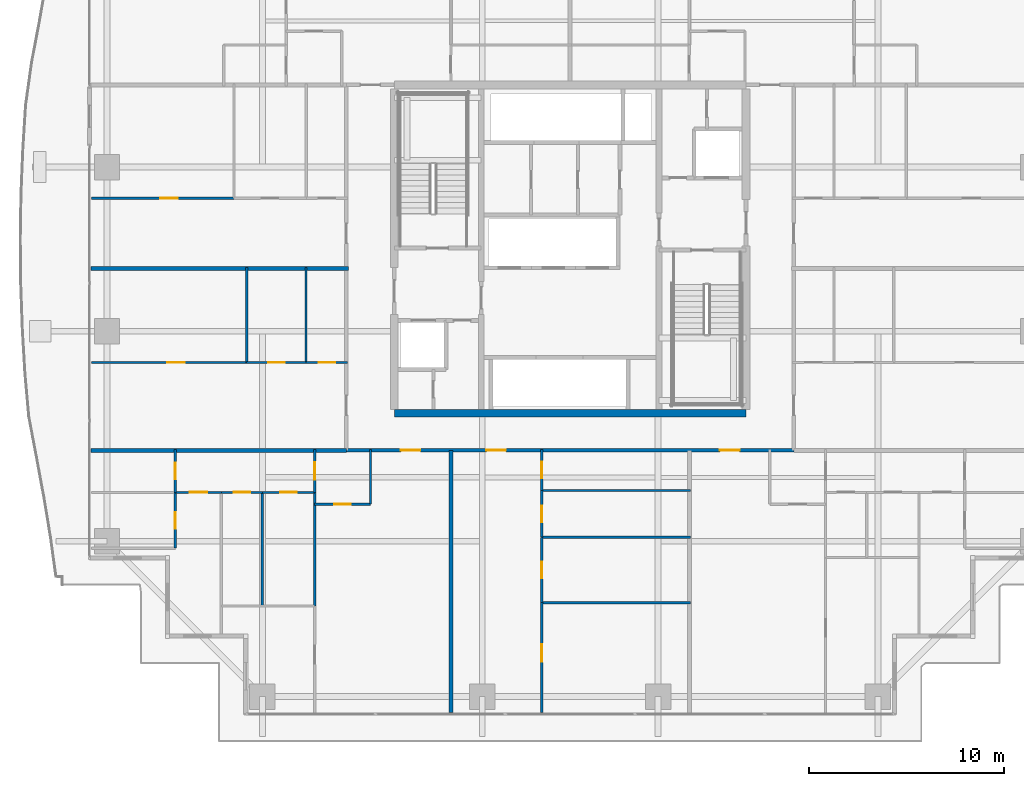
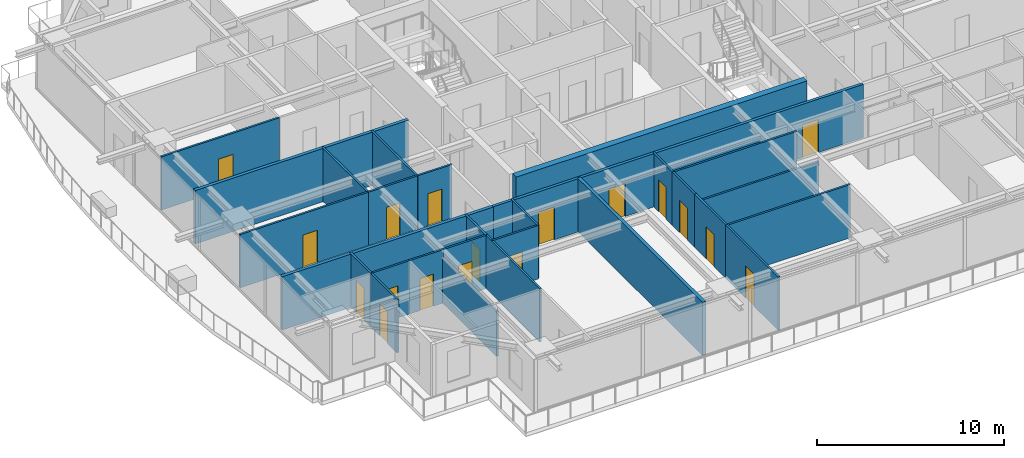
# One storey, part 27 of 38: 28 walls, 18 doors, 18 openings.
"""IFC4 building model written with IfcOpenShell, lengths in metres."""

from ifc_helpers import new_model, si_unit, direction, frame, frame_2d, origin, place, context, subcontext, project, spatial, rectangle, extrude, source, transform, mapped, material, layer, layer_set, type_object, element, fill, save


model = new_model("IFC4")

# Units and contexts
model_context = context("Model", 3, precision=1e-05, world=origin(), true_north=direction((0.0, 1.0)))
body_context = subcontext(model_context, "Body", "Model", "MODEL_VIEW")
ifc_project = project(units=[si_unit("LENGTHUNIT", "METRE"), si_unit("AREAUNIT", "SQUARE_METRE"), si_unit("VOLUMEUNIT", "CUBIC_METRE"), si_unit("PLANEANGLEUNIT", "RADIAN"), si_unit("MASSUNIT", "GRAM", prefix="KILO")], contexts=[model_context])

# Site, building, storey
site_placement = place(None, origin())
site = spatial("IfcSite", under=ifc_project, at=site_placement, CompositionType="ELEMENT")
building_placement = place(site_placement, origin())
building = spatial("IfcBuilding", under=site, at=building_placement, Name="Serunith Strait Residences", CompositionType="ELEMENT")
storey_placement = place(building_placement, frame((0.0, 0.0, 120.14990234375)))
storey = spatial("IfcBuildingStorey", under=building, at=storey_placement, Name="L29", CompositionType="ELEMENT", Elevation=120.14990234375)

# Wall, openings, doors
ifc_material_1 = material(Name="Fire-rated acoustic gypsum partition")
ifc_layer_1 = layer(ifc_material_1, 0.179931640625, Name="Fire-rated acoustic gypsum partition")
ifc_layer_set_1 = layer_set([ifc_layer_1], Name="Fire-rated acoustic gypsum partition")
wall_type_1 = type_object("IfcWallType", Name="IW-CORR-180", PredefinedType="PARTITIONING", material=ifc_layer_set_1)
wall_1_placement = place(storey_placement, frame((20.951904296875, 14.89990234375, 0.0), z_axis=(0.0, 0.0, 1.0), x_axis=(1.0, 0.0, 0.0)))
wall_1 = element("IfcWall", 1, at=wall_1_placement, inside=storey, type_object=wall_type_1, Name="L29 Partition Wall 026", PredefinedType="PARTITIONING", context=body_context, shape_type="SweptSolid", body=[
    extrude(rectangle(XDim=22.89599609375, YDim=0.179931640625, at=frame_2d((11.447998046875, 0.0))), origin(), (0.0, 0.0, 1.0), 3.489990234375),
])
opening_1_placement = place(wall_1_placement, frame((2.781005859375, 0.0, 0.0)))
opening_1 = element("IfcOpeningElement", 2, at=opening_1_placement, cuts=wall_1, Name="Opening D-APT1000", PredefinedType="OPENING", context=body_context, shape_type="SweptSolid", body=[
    extrude(rectangle(XDim=1.0, YDim=2.14990234375, at=frame_2d((0.5, 1.074951171875))), frame((0.0, 0.10009765625, 0.0), z_axis=(0.0, -1.0, 0.0), x_axis=(1.0, 0.0, 0.0)), (0.0, 0.0, 1.0), 0.199951171875),
])
opening_2_placement = place(wall_1_placement, frame((7.159912109375, 0.0, 0.0)))
opening_2 = element("IfcOpeningElement", 3, at=opening_2_placement, cuts=wall_1, Name="Opening D-APT1000", PredefinedType="OPENING", context=body_context, shape_type="SweptSolid", body=[
    extrude(rectangle(XDim=1.0, YDim=2.14990234375, at=frame_2d((0.5, 1.074951171875))), frame((0.0, 0.10009765625, 0.0), z_axis=(0.0, -1.0, 0.0), x_axis=(1.0, 0.0, 0.0)), (0.0, 0.0, 1.0), 0.199951171875),
])
opening_3_placement = place(wall_1_placement, frame((19.114990234375, 0.0, 0.0)))
opening_3 = element("IfcOpeningElement", 4, at=opening_3_placement, cuts=wall_1, Name="Opening D-APT1000", PredefinedType="OPENING", context=body_context, shape_type="SweptSolid", body=[
    extrude(rectangle(XDim=1.0, YDim=2.14990234375, at=frame_2d((0.5, 1.074951171875))), frame((0.0, 0.10009765625, 0.0), z_axis=(0.0, -1.0, 0.0), x_axis=(1.0, 0.0, 0.0)), (0.0, 0.0, 1.0), 0.199951171875),
])
ifc_material_2 = material(Name="Solid timber engineered fire door", Category="wood")
door_type_1 = type_object("IfcDoorType", Name="ID-APT-1000", OperationType="NOTDEFINED", PredefinedType="DOOR", material=ifc_material_2)
shared_shape_1 = source(origin(), body_context, "Body", "SweptSolid", [
    extrude(rectangle(XDim=1.0, YDim=2.14990234375, at=frame_2d((0.5, 1.074951171875))), frame((0.0, 0.02490234375, 0.0), z_axis=(0.0, -1.0, 0.0), x_axis=(1.0, 0.0, 0.0)), (0.0, 0.0, 1.0), 0.050048828125),
])
door_1_placement = place(opening_1_placement, origin())
door_1 = element("IfcDoor", 5, at=door_1_placement, inside=storey, type_object=door_type_1, Name="L29 Unit 01 Entrance Door", OperationType="SINGLE_SWING_RIGHT", OverallHeight=2.14990234375, OverallWidth=1.0, PredefinedType="DOOR", context=body_context, shape_type="MappedRepresentation", body=[
    mapped(shared_shape_1, transform((0.0, 0.0, 0.0), scale=1.0)),
])
fill(opening_1, door_1)
door_2_placement = place(opening_2_placement, origin())
door_2 = element("IfcDoor", 6, at=door_2_placement, inside=storey, type_object=door_type_1, Name="L29 Unit 02 Entrance Door", OperationType="SINGLE_SWING_LEFT", OverallHeight=2.14990234375, OverallWidth=1.0, PredefinedType="DOOR", context=body_context, shape_type="MappedRepresentation", body=[
    mapped(shared_shape_1, transform((0.0, 0.0, 0.0), scale=1.0)),
])
fill(opening_2, door_2)
door_3_placement = place(opening_3_placement, origin())
door_3 = element("IfcDoor", 7, at=door_3_placement, inside=storey, type_object=door_type_1, Name="L29 Unit 03 Entrance Door", OperationType="SINGLE_SWING_RIGHT", OverallHeight=2.14990234375, OverallWidth=1.0, PredefinedType="DOOR", context=body_context, shape_type="MappedRepresentation", body=[
    mapped(shared_shape_1, transform((0.0, 0.0, 0.0), scale=1.0)),
])
fill(opening_3, door_3)

# Wall, opening, door
ifc_material_3 = material(Name="Lightweight steel-stud gypsum partition", Category="steel")
ifc_layer_2 = layer(ifc_material_3, 0.1201171875, Name="Lightweight steel-stud gypsum partition")
ifc_layer_set_2 = layer_set([ifc_layer_2], Name="Lightweight steel-stud gypsum partition")
wall_type_2 = type_object("IfcWallType", Name="IW-PART-120", PredefinedType="PARTITIONING", material=ifc_layer_set_2)
wall_2_placement = place(storey_placement, frame((19.330078125, 12.14990234375, 0.0), z_axis=(0.0, 0.0, 1.0), x_axis=(1.0, 0.0, 0.0)))
wall_2 = element("IfcWall", 8, at=wall_2_placement, inside=storey, type_object=wall_type_2, Name="L29 Partition Wall 031", PredefinedType="PARTITIONING", context=body_context, shape_type="SweptSolid", body=[
    extrude(rectangle(XDim=2.849853515625, YDim=0.1201171875, at=frame_2d((1.4248046875, 0.0))), origin(), (0.0, 0.0, 1.0), 3.489990234375),
])
opening_4_placement = place(wall_2_placement, frame((1.0, 0.0, 0.0)))
opening_4 = element("IfcOpeningElement", 9, at=opening_4_placement, cuts=wall_2, Name="Opening D-RM850", PredefinedType="OPENING", context=body_context, shape_type="SweptSolid", body=[
    extrude(rectangle(XDim=0.85009765625, YDim=2.10009765625, at=frame_2d((0.425048828125, 1.050048828125))), frame((0.0, 0.070068359375, 0.0), z_axis=(0.0, -1.0, 0.0), x_axis=(1.0, 0.0, 0.0)), (0.0, 0.0, 1.0), 0.14013671875),
])
ifc_material_4 = material(Name="Engineered timber flush study and kitchen door", Category="wood")
door_type_2 = type_object("IfcDoorType", Name="ID-ROOM-850", OperationType="NOTDEFINED", PredefinedType="DOOR", material=ifc_material_4)
shared_shape_2 = source(origin(), body_context, "Body", "SweptSolid", [
    extrude(rectangle(XDim=0.85009765625, YDim=2.10009765625, at=frame_2d((0.425048828125, 1.050048828125))), frame((0.0, 0.02490234375, 0.0), z_axis=(0.0, -1.0, 0.0), x_axis=(1.0, 0.0, 0.0)), (0.0, 0.0, 1.0), 0.050048828125),
])
door_4_placement = place(opening_4_placement, origin())
door_4 = element("IfcDoor", 10, at=door_4_placement, inside=storey, type_object=door_type_2, Name="L29 Kitchen 2901 Door", OperationType="SINGLE_SWING_LEFT", OverallHeight=2.10009765625, OverallWidth=0.85009765625, PredefinedType="DOOR", context=body_context, shape_type="MappedRepresentation", body=[
    mapped(shared_shape_2, transform((0.0, 0.0, 0.0), scale=1.0)),
])
fill(opening_4, door_4)

# Wall
wall_3_placement = place(storey_placement, frame((22.179931640625, 12.14990234375, 0.0), z_axis=(0.0, 0.0, 1.0), x_axis=(0.0, 1.0, 0.0)))
element("IfcWall", 11, at=wall_3_placement, inside=storey, type_object=wall_type_2, Name="L29 Partition Wall 032", PredefinedType="PARTITIONING", context=body_context, shape_type="SweptSolid", body=[
    extrude(rectangle(XDim=2.81005859375, YDim=0.1201171875, at=frame_2d((1.405029296875, 0.0))), origin(), (0.0, 0.0, 1.0), 3.489990234375),
])

# Wall, opening, door
wall_4_placement = place(storey_placement, frame((19.330078125, 12.75, 0.0), z_axis=(0.0, 0.0, 1.0), x_axis=(0.0, 1.0, 0.0)))
wall_4 = element("IfcWall", 12, at=wall_4_placement, inside=storey, type_object=wall_type_2, Name="L29 Partition Wall 033", PredefinedType="PARTITIONING", context=body_context, shape_type="SweptSolid", body=[
    extrude(rectangle(XDim=2.2099609375, YDim=0.1201171875, at=frame_2d((1.10498046875, 0.0))), origin(), (0.0, 0.0, 1.0), 3.489990234375),
])
opening_5_placement = place(wall_4_placement, frame((0.655029296875, 0.0, 0.0)))
opening_5 = element("IfcOpeningElement", 13, at=opening_5_placement, cuts=wall_4, Name="Opening D-RM900", PredefinedType="OPENING", context=body_context, shape_type="SweptSolid", body=[
    extrude(rectangle(XDim=0.89990234375, YDim=2.10009765625, at=frame_2d((0.449951171875, 1.050048828125))), frame((0.0, 0.070068359375, 0.0), z_axis=(0.0, -1.0, 0.0), x_axis=(1.0, 0.0, 0.0)), (0.0, 0.0, 1.0), 0.14013671875),
])
ifc_material_5 = material(Name="Engineered timber flush bedroom door", Category="wood")
door_type_3 = type_object("IfcDoorType", Name="ID-ROOM-900", OperationType="NOTDEFINED", PredefinedType="DOOR", material=ifc_material_5)
shared_shape_3 = source(origin(), body_context, "Body", "SweptSolid", [
    extrude(rectangle(XDim=0.89990234375, YDim=2.10009765625, at=frame_2d((0.449951171875, 1.050048828125))), frame((0.0, 0.02490234375, 0.0), z_axis=(0.0, -1.0, 0.0), x_axis=(1.0, 0.0, 0.0)), (0.0, 0.0, 1.0), 0.050048828125),
])
door_5_placement = place(opening_5_placement, origin())
door_5 = element("IfcDoor", 14, at=door_5_placement, inside=storey, type_object=door_type_3, Name="L29 Hall W 2901 Door", OperationType="SINGLE_SWING_RIGHT", OverallHeight=2.10009765625, OverallWidth=0.89990234375, PredefinedType="DOOR", context=body_context, shape_type="MappedRepresentation", body=[
    mapped(shared_shape_3, transform((0.0, 0.0, 0.0), scale=1.0)),
])
fill(opening_5, door_5)

# Walls
wall_5_placement = place(storey_placement, frame((19.330078125, 6.93994140625, 0.0), z_axis=(0.0, 0.0, 1.0), x_axis=(0.0, 1.0, 0.0)))
element("IfcWall", 15, at=wall_5_placement, inside=storey, type_object=wall_type_2, Name="L29 Partition Wall 035", PredefinedType="PARTITIONING", context=body_context, shape_type="SweptSolid", body=[
    extrude(rectangle(XDim=5.80810546875, YDim=0.1201171875, at=frame_2d((2.904052734375, 0.0))), origin(), (0.0, 0.0, 1.0), 3.489990234375),
])
wall_6_placement = place(storey_placement, frame((16.64990234375, 6.93798828125, 0.0), z_axis=(0.0, 0.0, 1.0), x_axis=(0.0, 1.0, 0.0)))
element("IfcWall", 16, at=wall_6_placement, inside=storey, type_object=wall_type_2, Name="L29 Partition Wall 038", PredefinedType="PARTITIONING", context=body_context, shape_type="SweptSolid", body=[
    extrude(rectangle(XDim=5.81201171875, YDim=0.1201171875, at=frame_2d((2.906005859375, 0.0))), origin(), (0.0, 0.0, 1.0), 2.97216796875),
])

# Wall, opening, door
wall_7_placement = place(storey_placement, frame((14.550048828125, 12.75, 0.0), z_axis=(0.0, 0.0, 1.0), x_axis=(1.0, 0.0, 0.0)))
wall_7 = element("IfcWall", 17, at=wall_7_placement, inside=storey, type_object=wall_type_2, Name="L29 Partition Wall 039", PredefinedType="PARTITIONING", context=body_context, shape_type="SweptSolid", body=[
    extrude(rectangle(XDim=2.099853515625, YDim=0.1201171875, at=frame_2d((1.0498046875, 0.0))), origin(), (0.0, 0.0, 1.0), 3.489990234375),
])
opening_6_placement = place(wall_7_placement, frame((0.625, 0.0, 0.0)))
opening_6 = element("IfcOpeningElement", 18, at=opening_6_placement, cuts=wall_7, Name="Opening D-BTH850", PredefinedType="OPENING", context=body_context, shape_type="SweptSolid", body=[
    extrude(rectangle(XDim=0.85009765625, YDim=2.10009765625, at=frame_2d((0.425048828125, 1.050048828125))), frame((0.0, 0.070068359375, 0.0), z_axis=(0.0, -1.0, 0.0), x_axis=(1.0, 0.0, 0.0)), (0.0, 0.0, 1.0), 0.14013671875),
])
ifc_material_6 = material(Name="Moisture-resistant timber bathroom door", Category="wood")
door_type_4 = type_object("IfcDoorType", Name="ID-BATH-850", OperationType="NOTDEFINED", PredefinedType="DOOR", material=ifc_material_6)
door_6_placement = place(opening_6_placement, origin())
door_6 = element("IfcDoor", 19, at=door_6_placement, inside=storey, type_object=door_type_4, Name="L29 Bathroom 2901 Door", OperationType="SINGLE_SWING_RIGHT", OverallHeight=2.10009765625, OverallWidth=0.85009765625, PredefinedType="DOOR", context=body_context, shape_type="MappedRepresentation", body=[
    mapped(shared_shape_2, transform((0.0, 0.0, 0.0), scale=1.0)),
])
fill(opening_6, door_6)

wall_8_placement = place(storey_placement, frame((16.652099609375, 12.75, 0.0), z_axis=(0.0, 0.0, 1.0), x_axis=(1.0, 0.0, 0.0)))
wall_8 = element("IfcWall", 20, at=wall_8_placement, inside=storey, type_object=wall_type_2, Name="L29 Partition Wall 040", PredefinedType="PARTITIONING", context=body_context, shape_type="SweptSolid", body=[
    extrude(rectangle(XDim=2.677978515625, YDim=0.1201171875, at=frame_2d((1.3388671875, 0.0))), origin(), (0.0, 0.0, 1.0), 3.489990234375),
])
opening_7_placement = place(wall_8_placement, frame((0.9140625, 0.0, 0.0)))
opening_7 = element("IfcOpeningElement", 21, at=opening_7_placement, cuts=wall_8, Name="Opening D-RM850", PredefinedType="OPENING", context=body_context, shape_type="SweptSolid", body=[
    extrude(rectangle(XDim=0.85009765625, YDim=2.10009765625, at=frame_2d((0.425048828125, 1.050048828125))), frame((0.0, 0.070068359375, 0.0), z_axis=(0.0, -1.0, 0.0), x_axis=(1.0, 0.0, 0.0)), (0.0, 0.0, 1.0), 0.14013671875),
])
door_7_placement = place(opening_7_placement, origin())
door_7 = element("IfcDoor", 22, at=door_7_placement, inside=storey, type_object=door_type_2, Name="L29 Study 2901 Door", OperationType="SINGLE_SWING_LEFT", OverallHeight=2.10009765625, OverallWidth=0.85009765625, PredefinedType="DOOR", context=body_context, shape_type="MappedRepresentation", body=[
    mapped(shared_shape_2, transform((0.0, 0.0, 0.0), scale=1.0)),
])
fill(opening_7, door_7)

wall_9_placement = place(storey_placement, frame((12.199951171875, 12.75, 0.0), z_axis=(0.0, 0.0, 1.0), x_axis=(1.0, 0.0, 0.0)))
wall_9 = element("IfcWall", 23, at=wall_9_placement, inside=storey, type_object=wall_type_2, Name="L29 Partition Wall 041", PredefinedType="PARTITIONING", context=body_context, shape_type="SweptSolid", body=[
    extrude(rectangle(XDim=2.34814453125, YDim=0.1201171875, at=frame_2d((1.174072265625, 0.0))), origin(), (0.0, 0.0, 1.0), 3.489990234375),
])
opening_8_placement = place(wall_9_placement, frame((0.72412109375, 0.0, 0.0)))
opening_8 = element("IfcOpeningElement", 24, at=opening_8_placement, cuts=wall_9, Name="Opening D-RM900", PredefinedType="OPENING", context=body_context, shape_type="SweptSolid", body=[
    extrude(rectangle(XDim=0.89990234375, YDim=2.10009765625, at=frame_2d((0.449951171875, 1.050048828125))), frame((0.0, 0.070068359375, 0.0), z_axis=(0.0, -1.0, 0.0), x_axis=(1.0, 0.0, 0.0)), (0.0, 0.0, 1.0), 0.14013671875),
])
door_8_placement = place(opening_8_placement, origin())
door_8 = element("IfcDoor", 25, at=door_8_placement, inside=storey, type_object=door_type_3, Name="L29 Master Bedroom W 2901 Door", OperationType="SINGLE_SWING_RIGHT", OverallHeight=2.10009765625, OverallWidth=0.89990234375, PredefinedType="DOOR", context=body_context, shape_type="MappedRepresentation", body=[
    mapped(shared_shape_3, transform((0.0, 0.0, 0.0), scale=1.0)),
])
fill(opening_8, door_8)

wall_10_placement = place(storey_placement, frame((12.199951171875, 9.89501953125, 0.0), z_axis=(0.0, 0.0, 1.0), x_axis=(0.0, 1.0, 0.0)))
wall_10 = element("IfcWall", 26, at=wall_10_placement, inside=storey, type_object=wall_type_2, Name="L29 Partition Wall 044", PredefinedType="PARTITIONING", context=body_context, shape_type="SweptSolid", body=[
    extrude(rectangle(XDim=2.85498046875, YDim=0.1201171875, at=frame_2d((1.427490234375, 0.0))), origin(), (0.0, 0.0, 1.0), 3.489990234375),
])
opening_9_placement = place(wall_10_placement, frame((1.0029296875, 0.0, 0.0)))
opening_9 = element("IfcOpeningElement", 27, at=opening_9_placement, cuts=wall_10, Name="Opening D-BTH850", PredefinedType="OPENING", context=body_context, shape_type="SweptSolid", body=[
    extrude(rectangle(XDim=0.85009765625, YDim=2.10009765625, at=frame_2d((0.425048828125, 1.050048828125))), frame((0.0, 0.070068359375, 0.0), z_axis=(0.0, -1.0, 0.0), x_axis=(1.0, 0.0, 0.0)), (0.0, 0.0, 1.0), 0.14013671875),
])
door_9_placement = place(opening_9_placement, origin())
door_9 = element("IfcDoor", 28, at=door_9_placement, inside=storey, type_object=door_type_4, Name="L29 En-suite Bathroom W 2901 Door", OperationType="SINGLE_SWING_LEFT", OverallHeight=2.10009765625, OverallWidth=0.85009765625, PredefinedType="DOOR", context=body_context, shape_type="MappedRepresentation", body=[
    mapped(shared_shape_2, transform((0.0, 0.0, 0.0), scale=1.0)),
])
fill(opening_9, door_9)

wall_11_placement = place(storey_placement, frame((12.199951171875, 12.751953125, 0.0), z_axis=(0.0, 0.0, 1.0), x_axis=(0.0, 1.0, 0.0)))
wall_11 = element("IfcWall", 29, at=wall_11_placement, inside=storey, type_object=wall_type_2, Name="L29 Partition Wall 045", PredefinedType="PARTITIONING", context=body_context, shape_type="SweptSolid", body=[
    extrude(rectangle(XDim=2.2080078125, YDim=0.1201171875, at=frame_2d((1.10400390625, 0.0))), origin(), (0.0, 0.0, 1.0), 3.489990234375),
])
opening_10_placement = place(wall_11_placement, frame((0.678955078125, 0.0, 0.0)))
opening_10 = element("IfcOpeningElement", 30, at=opening_10_placement, cuts=wall_11, Name="Opening D-RM850", PredefinedType="OPENING", context=body_context, shape_type="SweptSolid", body=[
    extrude(rectangle(XDim=0.85009765625, YDim=2.10009765625, at=frame_2d((0.425048828125, 1.050048828125))), frame((0.0, 0.070068359375, 0.0), z_axis=(0.0, -1.0, 0.0), x_axis=(1.0, 0.0, 0.0)), (0.0, 0.0, 1.0), 0.14013671875),
])
door_10_placement = place(opening_10_placement, origin())
door_10 = element("IfcDoor", 31, at=door_10_placement, inside=storey, type_object=door_type_2, Name="L29 Wardrobe W 2901 Door", OperationType="SINGLE_SWING_RIGHT", OverallHeight=2.10009765625, OverallWidth=0.85009765625, PredefinedType="DOOR", context=body_context, shape_type="MappedRepresentation", body=[
    mapped(shared_shape_2, transform((0.0, 0.0, 0.0), scale=1.0)),
])
fill(opening_10, door_10)

wall_12_placement = place(storey_placement, frame((30.93994140625, 1.4951171875, 0.0), z_axis=(0.0, 0.0, 1.0), x_axis=(0.0, 1.0, 0.0)))
wall_12 = element("IfcWall", 32, at=wall_12_placement, inside=storey, type_object=wall_type_2, Name="L29 Partition Wall 046", PredefinedType="PARTITIONING", context=body_context, shape_type="SweptSolid", body=[
    extrude(rectangle(XDim=5.617919921875, YDim=0.1201171875, at=frame_2d((2.80908203125, 0.0))), origin(), (0.0, 0.0, 1.0), 3.489990234375),
])
opening_11_placement = place(wall_12_placement, frame((2.594970703125, 0.0, 0.0)))
opening_11 = element("IfcOpeningElement", 33, at=opening_11_placement, cuts=wall_12, Name="Opening D-RM900", PredefinedType="OPENING", context=body_context, shape_type="SweptSolid", body=[
    extrude(rectangle(XDim=0.89990234375, YDim=2.10009765625, at=frame_2d((0.449951171875, 1.050048828125))), frame((0.0, 0.070068359375, 0.0), z_axis=(0.0, -1.0, 0.0), x_axis=(1.0, 0.0, 0.0)), (0.0, 0.0, 1.0), 0.14013671875),
])
door_11_placement = place(opening_11_placement, origin())
door_11 = element("IfcDoor", 34, at=door_11_placement, inside=storey, type_object=door_type_3, Name="L29 Master Bedroom 1 2902 Door", OperationType="SINGLE_SWING_LEFT", OverallHeight=2.10009765625, OverallWidth=0.89990234375, PredefinedType="DOOR", context=body_context, shape_type="MappedRepresentation", body=[
    mapped(shared_shape_3, transform((0.0, 0.0, 0.0), scale=1.0)),
])
fill(opening_11, door_11)

# Walls
wall_13_placement = place(storey_placement, frame((30.93994140625, 7.113037109375, 0.0), z_axis=(0.0, 0.0, 1.0), x_axis=(1.0, 0.0, 0.0)))
element("IfcWall", 35, at=wall_13_placement, inside=storey, type_object=wall_type_2, Name="L29 Partition Wall 047", PredefinedType="PARTITIONING", context=body_context, shape_type="SweptSolid", body=[
    extrude(rectangle(XDim=7.6201171875, YDim=0.1201171875, at=frame_2d((3.81005859375, 0.0))), origin(), (0.0, 0.0, 1.0), 3.489990234375),
])
wall_14_placement = place(storey_placement, frame((30.93994140625, 10.4560546875, 0.0), z_axis=(0.0, 0.0, 1.0), x_axis=(1.0, 0.0, 0.0)))
element("IfcWall", 36, at=wall_14_placement, inside=storey, type_object=wall_type_2, Name="L29 Partition Wall 048", PredefinedType="PARTITIONING", context=body_context, shape_type="SweptSolid", body=[
    extrude(rectangle(XDim=7.6201171875, YDim=0.1201171875, at=frame_2d((3.81005859375, 0.0))), origin(), (0.0, 0.0, 1.0), 2.97216796875),
])
wall_15_placement = place(storey_placement, frame((30.93994140625, 12.85009765625, 0.0), z_axis=(0.0, 0.0, 1.0), x_axis=(1.0, 0.0, 0.0)))
element("IfcWall", 37, at=wall_15_placement, inside=storey, type_object=wall_type_2, Name="L29 Partition Wall 049", PredefinedType="PARTITIONING", context=body_context, shape_type="SweptSolid", body=[
    extrude(rectangle(XDim=7.6201171875, YDim=0.1201171875, at=frame_2d((3.81005859375, 0.0))), origin(), (0.0, 0.0, 1.0), 3.489990234375),
])

# Wall, opening, door
wall_16_placement = place(storey_placement, frame((30.93994140625, 7.114990234375, 0.0), z_axis=(0.0, 0.0, 1.0), x_axis=(0.0, 1.0, 0.0)))
wall_16 = element("IfcWall", 38, at=wall_16_placement, inside=storey, type_object=wall_type_2, Name="L29 Partition Wall 050", PredefinedType="PARTITIONING", context=body_context, shape_type="SweptSolid", body=[
    extrude(rectangle(XDim=3.341064453125, YDim=0.1201171875, at=frame_2d((1.67041015625, 0.0))), origin(), (0.0, 0.0, 1.0), 3.489990234375),
])
opening_12_placement = place(wall_16_placement, frame((1.2451171875, 0.0, 0.0)))
opening_12 = element("IfcOpeningElement", 39, at=opening_12_placement, cuts=wall_16, Name="Opening D-RM850", PredefinedType="OPENING", context=body_context, shape_type="SweptSolid", body=[
    extrude(rectangle(XDim=0.85009765625, YDim=2.10009765625, at=frame_2d((0.425048828125, 1.050048828125))), frame((0.0, 0.070068359375, 0.0), z_axis=(0.0, -1.0, 0.0), x_axis=(1.0, 0.0, 0.0)), (0.0, 0.0, 1.0), 0.14013671875),
])
door_12_placement = place(opening_12_placement, origin())
door_12 = element("IfcDoor", 40, at=door_12_placement, inside=storey, type_object=door_type_2, Name="L29 Dining 2902 Door", OperationType="SINGLE_SWING_RIGHT", OverallHeight=2.10009765625, OverallWidth=0.85009765625, PredefinedType="DOOR", context=body_context, shape_type="MappedRepresentation", body=[
    mapped(shared_shape_2, transform((0.0, 0.0, 0.0), scale=1.0)),
])
fill(opening_12, door_12)

wall_17_placement = place(storey_placement, frame((30.93994140625, 10.4580078125, 0.0), z_axis=(0.0, 0.0, 1.0), x_axis=(0.0, 1.0, 0.0)))
wall_17 = element("IfcWall", 41, at=wall_17_placement, inside=storey, type_object=wall_type_2, Name="L29 Partition Wall 051", PredefinedType="PARTITIONING", context=body_context, shape_type="SweptSolid", body=[
    extrude(rectangle(XDim=2.39208984375, YDim=0.1201171875, at=frame_2d((1.196044921875, 0.0))), origin(), (0.0, 0.0, 1.0), 3.489990234375),
])
opening_13_placement = place(wall_17_placement, frame((0.77099609375, 0.0, 0.0)))
opening_13 = element("IfcOpeningElement", 42, at=opening_13_placement, cuts=wall_17, Name="Opening D-RM850", PredefinedType="OPENING", context=body_context, shape_type="SweptSolid", body=[
    extrude(rectangle(XDim=0.85009765625, YDim=2.10009765625, at=frame_2d((0.425048828125, 1.050048828125))), frame((0.0, 0.070068359375, 0.0), z_axis=(0.0, -1.0, 0.0), x_axis=(1.0, 0.0, 0.0)), (0.0, 0.0, 1.0), 0.14013671875),
])
door_13_placement = place(opening_13_placement, origin())
door_13 = element("IfcDoor", 43, at=door_13_placement, inside=storey, type_object=door_type_2, Name="L29 Kitchen 2902 Door", OperationType="SINGLE_SWING_LEFT", OverallHeight=2.10009765625, OverallWidth=0.85009765625, PredefinedType="DOOR", context=body_context, shape_type="MappedRepresentation", body=[
    mapped(shared_shape_2, transform((0.0, 0.0, 0.0), scale=1.0)),
])
fill(opening_13, door_13)

wall_18_placement = place(storey_placement, frame((30.93994140625, 12.85205078125, 0.0), z_axis=(0.0, 0.0, 1.0), x_axis=(0.0, 1.0, 0.0)))
wall_18 = element("IfcWall", 44, at=wall_18_placement, inside=storey, type_object=wall_type_2, Name="L29 Partition Wall 052", PredefinedType="PARTITIONING", context=body_context, shape_type="SweptSolid", body=[
    extrude(rectangle(XDim=2.10791015625, YDim=0.1201171875, at=frame_2d((1.053955078125, 0.0))), origin(), (0.0, 0.0, 1.0), 3.489990234375),
])
opening_14_placement = place(wall_18_placement, frame((0.62890625, 0.0, 0.0)))
opening_14 = element("IfcOpeningElement", 45, at=opening_14_placement, cuts=wall_18, Name="Opening D-BTH850", PredefinedType="OPENING", context=body_context, shape_type="SweptSolid", body=[
    extrude(rectangle(XDim=0.85009765625, YDim=2.10009765625, at=frame_2d((0.425048828125, 1.050048828125))), frame((0.0, 0.070068359375, 0.0), z_axis=(0.0, -1.0, 0.0), x_axis=(1.0, 0.0, 0.0)), (0.0, 0.0, 1.0), 0.14013671875),
])
door_14_placement = place(opening_14_placement, origin())
door_14 = element("IfcDoor", 46, at=door_14_placement, inside=storey, type_object=door_type_4, Name="L29 Bathroom 2902 Door", OperationType="SINGLE_SWING_RIGHT", OverallHeight=2.10009765625, OverallWidth=0.85009765625, PredefinedType="DOOR", context=body_context, shape_type="MappedRepresentation", body=[
    mapped(shared_shape_2, transform((0.0, 0.0, 0.0), scale=1.0)),
])
fill(opening_14, door_14)

wall_19_placement = place(storey_placement, frame((7.89501953125, 19.39990234375, 0.0), z_axis=(0.0, 0.0, 1.0), x_axis=(1.0, 0.0, 0.0)))
wall_19 = element("IfcWall", 47, at=wall_19_placement, inside=storey, type_object=wall_type_2, Name="L29 Partition Wall 094", PredefinedType="PARTITIONING", context=body_context, shape_type="SweptSolid", body=[
    extrude(rectangle(XDim=7.950927734375, YDim=0.1201171875, at=frame_2d((3.9755859375, 0.0))), origin(), (0.0, 0.0, 1.0), 3.489990234375),
])
opening_15_placement = place(wall_19_placement, frame((3.8779296875, 0.0, 0.0)))
opening_15 = element("IfcOpeningElement", 48, at=opening_15_placement, cuts=wall_19, Name="Opening D-RM900", PredefinedType="OPENING", context=body_context, shape_type="SweptSolid", body=[
    extrude(rectangle(XDim=0.89990234375, YDim=2.10009765625, at=frame_2d((0.449951171875, 1.050048828125))), frame((0.0, 0.070068359375, 0.0), z_axis=(0.0, -1.0, 0.0), x_axis=(1.0, 0.0, 0.0)), (0.0, 0.0, 1.0), 0.14013671875),
])
door_15_placement = place(opening_15_placement, origin())
door_15 = element("IfcDoor", 49, at=door_15_placement, inside=storey, type_object=door_type_3, Name="L29 Master Bedroom 1 2906 Door", OperationType="SINGLE_SWING_LEFT", OverallHeight=2.10009765625, OverallWidth=0.89990234375, PredefinedType="DOOR", context=body_context, shape_type="MappedRepresentation", body=[
    mapped(shared_shape_3, transform((0.0, 0.0, 0.0), scale=1.0)),
])
fill(opening_15, door_15)

# Walls
for number, where, z_axis, x_axis, name in (
    (50, (15.845947265625, 19.39990234375, 0.0), (0.0, 0.0, 1.0), (0.0, 1.0, 0.0), "L29 Partition Wall 095"),
    (51, (18.886962890625, 19.39990234375, 0.0), (0.0, 0.0, 1.0), (0.0, 1.0, 0.0), "L29 Partition Wall 096"),
):
    element("IfcWall", number, at=place(storey_placement, frame(where, z_axis=z_axis, x_axis=x_axis)), inside=storey, type_object=wall_type_2, Name=name, PredefinedType="PARTITIONING", context=body_context, shape_type="SweptSolid", body=[
        extrude(rectangle(XDim=4.860107421875, YDim=0.1201171875, at=frame_2d((2.43017578125, 0.0))), origin(), (0.0, 0.0, 1.0), 3.489990234375),
    ])

# Wall, opening, door
wall_20_placement = place(storey_placement, frame((15.847900390625, 19.39990234375, 0.0), z_axis=(0.0, 0.0, 1.0), x_axis=(1.0, 0.0, 0.0)))
wall_20 = element("IfcWall", 52, at=wall_20_placement, inside=storey, type_object=wall_type_2, Name="L29 Partition Wall 097", PredefinedType="PARTITIONING", context=body_context, shape_type="SweptSolid", body=[
    extrude(rectangle(XDim=3.0390625, YDim=0.1201171875, at=frame_2d((1.51953125, 0.0))), origin(), (0.0, 0.0, 1.0), 3.489990234375),
])
opening_16_placement = place(wall_20_placement, frame((1.093994140625, 0.0, 0.0)))
opening_16 = element("IfcOpeningElement", 53, at=opening_16_placement, cuts=wall_20, Name="Opening D-RM850", PredefinedType="OPENING", context=body_context, shape_type="SweptSolid", body=[
    extrude(rectangle(XDim=0.85009765625, YDim=2.10009765625, at=frame_2d((0.425048828125, 1.050048828125))), frame((0.0, 0.070068359375, 0.0), z_axis=(0.0, -1.0, 0.0), x_axis=(1.0, 0.0, 0.0)), (0.0, 0.0, 1.0), 0.14013671875),
])
door_16_placement = place(opening_16_placement, origin())
door_16 = element("IfcDoor", 54, at=door_16_placement, inside=storey, type_object=door_type_2, Name="L29 Kitchen 2906 Door", OperationType="SINGLE_SWING_RIGHT", OverallHeight=2.10009765625, OverallWidth=0.85009765625, PredefinedType="DOOR", context=body_context, shape_type="MappedRepresentation", body=[
    mapped(shared_shape_2, transform((0.0, 0.0, 0.0), scale=1.0)),
])
fill(opening_16, door_16)

wall_21_placement = place(storey_placement, frame((18.888916015625, 19.39990234375, 0.0), z_axis=(0.0, 0.0, 1.0), x_axis=(1.0, 0.0, 0.0)))
wall_21 = element("IfcWall", 55, at=wall_21_placement, inside=storey, type_object=wall_type_2, Name="L29 Partition Wall 098", PredefinedType="PARTITIONING", context=body_context, shape_type="SweptSolid", body=[
    extrude(rectangle(XDim=2.12109375, YDim=0.1201171875, at=frame_2d((1.060546875, 0.0))), origin(), (0.0, 0.0, 1.0), 3.489990234375),
])
opening_17_placement = place(wall_21_placement, frame((0.635986328125, 0.0, 0.0)))
opening_17 = element("IfcOpeningElement", 56, at=opening_17_placement, cuts=wall_21, Name="Opening D-BTH850", PredefinedType="OPENING", context=body_context, shape_type="SweptSolid", body=[
    extrude(rectangle(XDim=0.85009765625, YDim=2.10009765625, at=frame_2d((0.425048828125, 1.050048828125))), frame((0.0, 0.070068359375, 0.0), z_axis=(0.0, -1.0, 0.0), x_axis=(1.0, 0.0, 0.0)), (0.0, 0.0, 1.0), 0.14013671875),
])
door_17_placement = place(opening_17_placement, origin())
door_17 = element("IfcDoor", 57, at=door_17_placement, inside=storey, type_object=door_type_4, Name="L29 Bathroom 2906 Door", OperationType="SINGLE_SWING_LEFT", OverallHeight=2.10009765625, OverallWidth=0.85009765625, PredefinedType="DOOR", context=body_context, shape_type="MappedRepresentation", body=[
    mapped(shared_shape_2, transform((0.0, 0.0, 0.0), scale=1.0)),
])
fill(opening_17, door_17)

wall_22_placement = place(storey_placement, frame((7.89501953125, 27.800048828125, 0.0), z_axis=(0.0, 0.0, 1.0), x_axis=(1.0, 0.0, 0.0)))
wall_22 = element("IfcWall", 58, at=wall_22_placement, inside=storey, type_object=wall_type_2, Name="L29 Partition Wall 099", PredefinedType="PARTITIONING", context=body_context, shape_type="SweptSolid", body=[
    extrude(rectangle(XDim=7.302978515625, YDim=0.1201171875, at=frame_2d((3.6513671875, 0.0))), origin(), (0.0, 0.0, 1.0), 3.489990234375),
])
opening_18_placement = place(wall_22_placement, frame((3.52197265625, 0.0, 0.0)))
opening_18 = element("IfcOpeningElement", 59, at=opening_18_placement, cuts=wall_22, Name="Opening D-RM900", PredefinedType="OPENING", context=body_context, shape_type="SweptSolid", body=[
    extrude(rectangle(XDim=0.89990234375, YDim=2.10009765625, at=frame_2d((0.449951171875, 1.050048828125))), frame((0.0, 0.070068359375, 0.0), z_axis=(0.0, -1.0, 0.0), x_axis=(1.0, 0.0, 0.0)), (0.0, 0.0, 1.0), 0.14013671875),
])
door_18_placement = place(opening_18_placement, origin())
door_18 = element("IfcDoor", 60, at=door_18_placement, inside=storey, type_object=door_type_3, Name="L29 Master Bedroom 1 2907 Door", OperationType="SINGLE_SWING_RIGHT", OverallHeight=2.10009765625, OverallWidth=0.89990234375, PredefinedType="DOOR", context=body_context, shape_type="MappedRepresentation", body=[
    mapped(shared_shape_3, transform((0.0, 0.0, 0.0), scale=1.0)),
])
fill(opening_18, door_18)

# Walls
ifc_material_7 = material(Name="Twin-stud acoustic gypsum board partition")
ifc_layer_3 = layer(ifc_material_7, 0.199951171875, Name="Twin-stud acoustic gypsum board partition")
ifc_layer_set_3 = layer_set([ifc_layer_3], Name="Twin-stud acoustic gypsum board partition")
wall_type_3 = type_object("IfcWallType", Name="IW-PARTY-200", PredefinedType="PARTITIONING", material=ifc_layer_set_3)
wall_23_placement = place(storey_placement, frame((26.300048828125, 1.48193359375, 0.0), z_axis=(0.0, 0.0, 1.0), x_axis=(0.0, 1.0, 0.0)))
element("IfcWall", 61, at=wall_23_placement, inside=storey, type_object=wall_type_3, Name="L29 Partition Wall 017", PredefinedType="PARTITIONING", context=body_context, shape_type="SweptSolid", body=[
    extrude(rectangle(XDim=13.41796875, YDim=0.199951171875, at=frame_2d((6.708984375, 0.0))), origin(), (0.0, 0.0, 1.0), 3.489990234375),
])
wall_24_placement = place(storey_placement, frame((7.882080078125, 24.199951171875, 0.0), z_axis=(0.0, 0.0, 1.0), x_axis=(1.0, 0.0, 0.0)))
element("IfcWall", 62, at=wall_24_placement, inside=storey, type_object=wall_type_3, Name="L29 Partition Wall 020", PredefinedType="PARTITIONING", context=body_context, shape_type="SweptSolid", body=[
    extrude(rectangle(XDim=13.18798828125, YDim=0.199951171875, at=frame_2d((6.593994140625, 0.0))), origin(), (0.0, 0.0, 1.0), 3.489990234375),
])
wall_25_placement = place(storey_placement, frame((7.882080078125, 14.89990234375, 0.0), z_axis=(0.0, 0.0, 1.0), x_axis=(1.0, 0.0, 0.0)))
element("IfcWall", 63, at=wall_25_placement, inside=storey, type_object=wall_type_3, Name="L29 Partition Wall 022", PredefinedType="PARTITIONING", context=body_context, shape_type="SweptSolid", body=[
    extrude(rectangle(XDim=13.06787109375, YDim=0.199951171875, at=frame_2d((6.533935546875, 0.0))), origin(), (0.0, 0.0, 1.0), 3.489990234375),
])
ifc_material_8 = material(Name="Concrete C70/85", Category="concrete")
ifc_layer_4 = layer(ifc_material_8, 0.39990234375, Name="Concrete C70/85")
ifc_layer_set_4 = layer_set([ifc_layer_4], Name="Concrete C70/85")
wall_type_4 = type_object("IfcWallType", Name="SW-400-C70", PredefinedType="SHEAR", material=ifc_layer_set_4)
wall_26_placement = place(storey_placement, frame((23.39990234375, 16.800048828125, -0.43994140625), z_axis=(0.0, 0.0, 1.0), x_axis=(1.0, 0.0, 0.0)))
element("IfcWall", 64, at=wall_26_placement, inside=storey, type_object=wall_type_4, Name="L29 Core South Shear Wall", PredefinedType="SHEAR", context=body_context, shape_type="SweptSolid", body=[
    extrude(rectangle(XDim=18.0, YDim=0.39990234375, at=frame_2d((9.0, 0.0))), origin(), (0.0, 0.0, 1.0), 3.927978515625),
])

save(model, "model.ifc")
